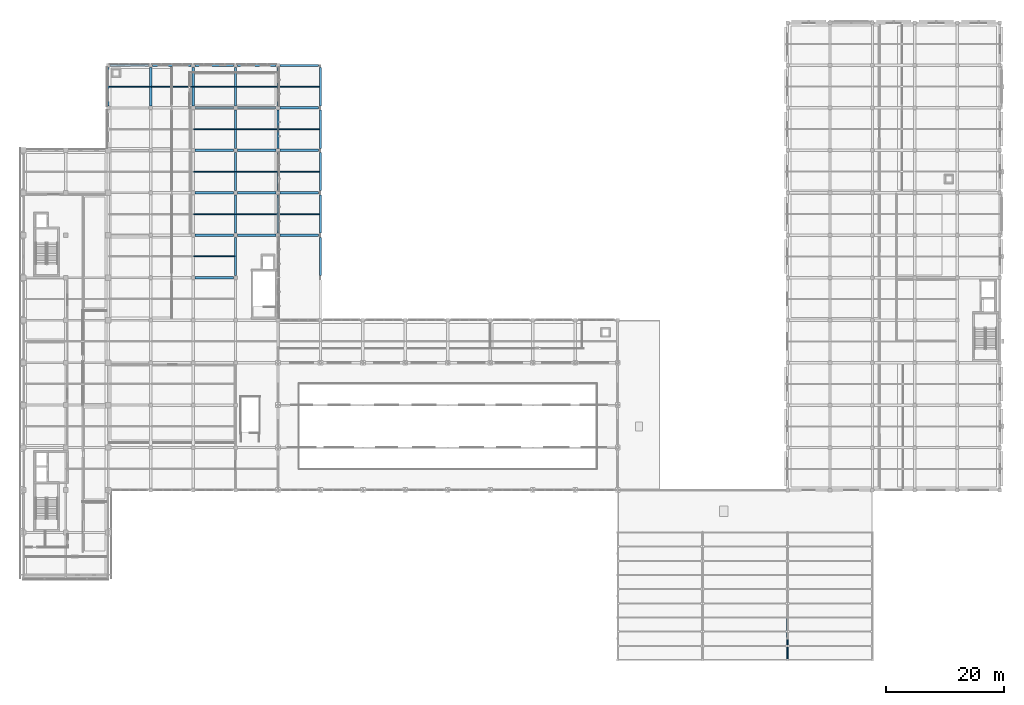
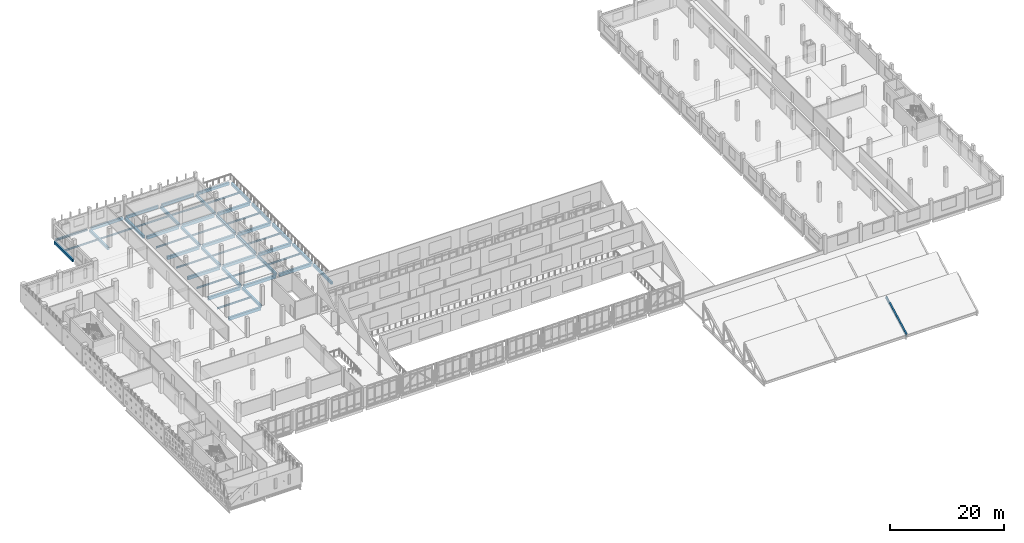
# One storey, part 25 of 62: 50 beams, 2 members.
"""IFC4 building model written with IfcOpenShell, lengths in metres."""

import ifcopenshell
import ifcopenshell.guid

model = None  # the IFC model being written
_history = None  # IfcOwnerHistory: only IFC2X3 demands one
_inside = {}  # id of a spatial element -> (the spatial element, [elements in it])
_under = {}  # id of a project, library or spatial element -> (it, [spatial elements below it])
_declared = {}  # id of a project -> (the project, [libraries it declares])
_typed = {}  # id of a type object -> (the type object, [elements of that type])
_made_of = {}  # id of a material, layer set ... -> (it, [elements and type objects made of it])


def new_model(schema):
    """Start an empty IFC model of exactly this schema.

    Asked for "IFC4X3", IfcOpenShell would pick the latest addendum, in which some entities
    have other attributes; the version numbers below select the first issue.
    IFC2X3 requires an IfcOwnerHistory on every rooted entity: one is made here for all.
    """
    global model, _history
    if schema == "IFC4X3":
        model = ifcopenshell.file(schema_version=(4, 3, 0, 0))
    else:
        model = ifcopenshell.file(schema=schema)
    _inside.clear()
    _under.clear()
    _declared.clear()
    _typed.clear()
    _made_of.clear()
    _history = None
    if model.schema == "IFC2X3":
        org = make("IfcOrganization", Name="unknown")
        user = make(
            "IfcPersonAndOrganization",
            ThePerson=make("IfcPerson", FamilyName="unknown"),
            TheOrganization=org,
        )
        app = make(
            "IfcApplication",
            ApplicationDeveloper=org,
            Version="unknown",
            ApplicationFullName="unknown",
            ApplicationIdentifier="unknown",
        )
        _history = make(
            "IfcOwnerHistory",
            OwningUser=user,
            OwningApplication=app,
            ChangeAction="ADDED",
            CreationDate=0,
        )
    return model


def make(cls, **values):
    """One entity of the class cls with the attributes given. An attribute that is None is left unset."""
    return model.create_entity(
        cls, **{name: value for name, value in values.items() if value is not None}
    )


def rooted(cls, **values):
    """An entity with a GlobalId (a new one), such as an element, a storey or a relation."""
    return make(cls, GlobalId=ifcopenshell.guid.new(), OwnerHistory=_history, **values)


def si_unit(unit_type, name, prefix=None):
    """IfcSIUnit, for example si_unit("LENGTHUNIT", "METRE", prefix="MILLI")."""
    return make("IfcSIUnit", UnitType=unit_type, Prefix=prefix, Name=name)


def assignment(units):
    """IfcUnitAssignment: the units of a project."""
    return None if units is None else make("IfcUnitAssignment", Units=units)


def point(xyz):
    """IfcCartesianPoint."""
    return None if xyz is None else make("IfcCartesianPoint", Coordinates=xyz)


def direction(xyz):
    """IfcDirection."""
    return None if xyz is None else make("IfcDirection", DirectionRatios=xyz)


def frame(location, z_axis=None, x_axis=None):
    """IfcAxis2Placement3D, a coordinate frame: its origin and axes. An axis left out is left unset."""
    return make(
        "IfcAxis2Placement3D",
        Location=point(location),
        Axis=direction(z_axis),
        RefDirection=direction(x_axis),
    )


def frame_2d(location, x_axis=None):
    """IfcAxis2Placement2D, a coordinate frame in the plane: its origin and x axis."""
    return make(
        "IfcAxis2Placement2D", Location=point(location), RefDirection=direction(x_axis)
    )


def origin():
    """The frame at (0, 0, 0) with its axes left unset."""
    return frame((0.0, 0.0, 0.0))


def origin_2d():
    """The frame at (0, 0) in the plane with its x axis left unset."""
    return frame_2d((0.0, 0.0))


def place(relative_to, where):
    """IfcLocalPlacement: puts the frame where relative to a parent placement (None: the world)."""
    return make(
        "IfcLocalPlacement", PlacementRelTo=relative_to, RelativePlacement=where
    )


def context(
    kind, dimensions, precision=None, world=None, true_north=None, identifier=None
):
    """IfcGeometricRepresentationContext, for example the 3D "Model" context."""
    return make(
        "IfcGeometricRepresentationContext",
        ContextIdentifier=identifier,
        ContextType=kind,
        CoordinateSpaceDimension=dimensions,
        Precision=precision,
        WorldCoordinateSystem=world,
        TrueNorth=true_north,
    )


def subcontext(parent, identifier, kind, view, scale=None):
    """IfcGeometricRepresentationSubContext, for example "Body" below "Model"."""
    return make(
        "IfcGeometricRepresentationSubContext",
        ContextIdentifier=identifier,
        ContextType=kind,
        ParentContext=parent,
        TargetScale=scale,
        TargetView=view,
    )


def project(units=None, contexts=None):
    """IfcProject with its units and contexts."""
    return rooted(
        "IfcProject",
        Name="project",
        RepresentationContexts=contexts,
        UnitsInContext=assignment(units),
    )


def spatial(cls, under=None, at=None, **own):
    """A site, building, storey or space (cls), placed at a placement, below another one or the project."""
    s = rooted(cls, ObjectPlacement=at, **own)
    if under is not None:
        _under.setdefault(under.id(), (under, []))[1].append(s)
    return s


def profile(cls, at=None, kind="AREA", **sizes):
    """A parametric profile (cls). Its sizes go by their IFC names, for example OverallWidth=200.0."""
    return make(cls, ProfileType=kind, Position=at, **sizes)


def rectangle(**sizes):
    """IfcRectangleProfileDef."""
    return profile("IfcRectangleProfileDef", **sizes)


def hollow_circle(**sizes):
    """IfcCircleHollowProfileDef."""
    return profile("IfcCircleHollowProfileDef", **sizes)


def i_section(**sizes):
    """IfcIShapeProfileDef."""
    return profile("IfcIShapeProfileDef", **sizes)


def extrude(swept, where, along, depth):
    """IfcExtrudedAreaSolid: the profile swept, set in the frame where, extruded along a direction by depth."""
    return make(
        "IfcExtrudedAreaSolid",
        SweptArea=swept,
        Position=where,
        ExtrudedDirection=direction(along),
        Depth=depth,
    )


def shape(context_of_items, identifier, shape_type, items):
    """IfcShapeRepresentation: the items that make up one representation, for example the "Body"."""
    return make(
        "IfcShapeRepresentation",
        ContextOfItems=context_of_items,
        RepresentationIdentifier=identifier,
        RepresentationType=shape_type,
        Items=items,
    )


def material(Name=None, Category=None):
    """IfcMaterial."""
    return make("IfcMaterial", Name=Name, Category=Category)


def material_profile(
    of_material, cross_section, Name=None, Category=None, Priority=None
):
    """IfcMaterialProfile: a cross section and its material."""
    return make(
        "IfcMaterialProfile",
        Name=Name,
        Material=of_material,
        Profile=cross_section,
        Priority=Priority,
        Category=Category,
    )


def profile_set(profiles, Name=None, composite=None):
    """IfcMaterialProfileSet."""
    return make(
        "IfcMaterialProfileSet",
        Name=Name,
        MaterialProfiles=profiles,
        CompositeProfile=composite,
    )


def made_of(thing, what):
    """Note that an element or type object is made of a material, layer set ...; save() writes the relation."""
    if what is not None:
        _made_of.setdefault(what.id(), (what, []))[1].append(thing)
    return thing


def type_object(cls, material=None, **own):
    """A type object (cls), such as IfcWallType, which elements share."""
    return made_of(rooted(cls, **own), material)


def element(
    cls,
    number,
    at=None,
    inside=None,
    cuts=None,
    type_object=None,
    material=None,
    context=None,
    identifier="Body",
    shape_type=None,
    held_by="IfcProductDefinitionShape",
    body=None,
    shapes=None,
    **own,
):
    """One element of the class cls, such as IfcWall. Its Tag is "e" and its number.

    at: its placement. inside: the storey or other place that contains it. cuts: it is an
    opening in that element (IfcRelVoidsElement). A single representation is given by context,
    identifier, shape_type and body (its items); several are given by shapes. held_by: the class
    of the entity that holds the representations. save() writes the other relations.
    """
    e = rooted(cls, Tag="e%d" % number, ObjectPlacement=at, **own)
    if body is not None:
        shapes = [shape(context, identifier, shape_type, body)]
    if shapes is not None:
        e.Representation = make(held_by, Representations=shapes)
    if inside is not None:
        _inside.setdefault(inside.id(), (inside, []))[1].append(e)
    if cuts is not None:
        rooted(
            "IfcRelVoidsElement", RelatingBuildingElement=cuts, RelatedOpeningElement=e
        )
    if type_object is not None:
        _typed.setdefault(type_object.id(), (type_object, []))[1].append(e)
    return made_of(e, material)


def aggregate(whole, parts):
    """IfcRelAggregates: a whole, such as a stair, and the parts it consists of."""
    return rooted("IfcRelAggregates", RelatingObject=whole, RelatedObjects=parts)


def save(model, path):
    """Write the relations noted so far, then the file.

    IfcRelAggregates (storeys below a building ...), IfcRelContainedInSpatialStructure (elements
    in a storey), IfcRelDefinesByType, IfcRelAssociatesMaterial and IfcRelDeclares: one each for
    every whole, place, type object, material and project.
    """
    for whole, parts in _under.values():
        aggregate(whole, parts)
    for where, things in _inside.values():
        rooted(
            "IfcRelContainedInSpatialStructure",
            RelatedElements=things,
            RelatingStructure=where,
        )
    for kind, things in _typed.values():
        rooted("IfcRelDefinesByType", RelatedObjects=things, RelatingType=kind)
    for what, things in _made_of.values():
        rooted("IfcRelAssociatesMaterial", RelatedObjects=things, RelatingMaterial=what)
    for by, libraries in _declared.values():
        rooted("IfcRelDeclares", RelatingContext=by, RelatedDefinitions=libraries)
    model.write(path)


model = new_model("IFC4")

# Units and contexts
model_context = context("Model", 3, precision=1e-05, world=origin(), true_north=direction((0.0, 1.0)))
body_context = subcontext(model_context, "Body", "Model", "MODEL_VIEW")
ifc_project = project(units=[si_unit("LENGTHUNIT", "METRE"), si_unit("AREAUNIT", "SQUARE_METRE"), si_unit("VOLUMEUNIT", "CUBIC_METRE"), si_unit("PLANEANGLEUNIT", "RADIAN"), si_unit("MASSUNIT", "GRAM", prefix="KILO")], contexts=[model_context])

# Site, building, storey
site_placement = place(None, origin())
site = spatial("IfcSite", under=ifc_project, at=site_placement, CompositionType="ELEMENT")
building_placement = place(site_placement, origin())
building = spatial("IfcBuilding", under=site, at=building_placement, Name="Valkovuoma Quantum and Materials Research Institute", CompositionType="ELEMENT")
storey_placement = place(building_placement, frame((0.0, 0.0, 13.1201171875)))
storey = spatial("IfcBuildingStorey", under=building, at=storey_placement, Name="L03", CompositionType="ELEMENT", Elevation=13.1201171875)

# Beams
ifc_material_1 = material(Name="Steel S355J2", Category="steel")
ifc_material_profile_1 = material_profile(ifc_material_1, i_section(OverallWidth=0.300048828125, OverallDepth=0.389892578125, WebThickness=0.010986328125, FlangeThickness=0.01904296875, FilletRadius=0.027099609375, at=origin_2d()), Name="Steel S355J2")
ifc_profile_set_1 = profile_set([ifc_material_profile_1], Name="Steel S355J2")
beam_type_1 = type_object("IfcBeamType", Name="Beam-B-HEA400", PredefinedType="SPANDREL", material=ifc_profile_set_1)
beam_placement = place(storey_placement, frame((14.75, 108.0, -0.545166015625), z_axis=(1.0, 0.0, 0.0), x_axis=(0.0, 1.0, 0.0)))
element("IfcBeam", 1, at=beam_placement, inside=storey, type_object=beam_type_1, Name="L03 beam X-1555", PredefinedType="SPANDREL", context=body_context, shape_type="SweptSolid", body=[
    extrude(i_section(OverallWidth=0.300048828125, OverallDepth=0.389892578125, WebThickness=0.010986328125, FlangeThickness=0.01904296875, FilletRadius=0.027099609375, at=origin_2d()), origin(), (0.0, 0.0, 1.0), 6.5),
])
ifc_material_2 = material(Name="Steel S355J2", Category="steel")
ifc_material_profile_2 = material_profile(ifc_material_2, i_section(OverallWidth=0.169921875, OverallDepth=0.360107421875, WebThickness=0.008056640625, FlangeThickness=0.0126953125, FilletRadius=0.01806640625, at=origin_2d()), Name="Steel S355J2")
ifc_profile_set_2 = profile_set([ifc_material_profile_2], Name="Steel S355J2")
beam_type_2 = type_object("IfcBeamType", Name="Beam-B-JST360", PredefinedType="JOIST", material=ifc_profile_set_2)
for number, where, z_axis, x_axis, name in (
    (2, (28.919921875, 75.60009765625, -0.530029296875), (1.0, 0.0, 0.0), (0.0, 1.0, 0.0), "L03 floor joist 1761"),
    (3, (28.919921875, 82.800048828125, -0.530029296875), (1.0, 0.0, 0.0), (0.0, 1.0, 0.0), "L03 floor joist 1769"),
    (4, (36.1201171875, 82.800048828125, -0.530029296875), (1.0, 0.0, 0.0), (0.0, 1.0, 0.0), "L03 floor joist 1770"),
    (5, (43.320068359375, 82.800048828125, -0.530029296875), (1.0, 0.0, 0.0), (0.0, 1.0, 0.0), "L03 floor joist 1771"),
    (6, (28.919921875, 90.0, -0.530029296875), (1.0, 0.0, 0.0), (0.0, 1.0, 0.0), "L03 floor joist 1781"),
    (7, (36.1201171875, 90.0, -0.530029296875), (1.0, 0.0, 0.0), (0.0, 1.0, 0.0), "L03 floor joist 1782"),
    (8, (43.320068359375, 90.0, -0.530029296875), (1.0, 0.0, 0.0), (0.0, 1.0, 0.0), "L03 floor joist 1783"),
    (9, (28.919921875, 97.199951171875, -0.530029296875), (1.0, 0.0, 0.0), (0.0, 1.0, 0.0), "L03 floor joist 1791"),
    (10, (36.1201171875, 97.199951171875, -0.530029296875), (1.0, 0.0, 0.0), (0.0, 1.0, 0.0), "L03 floor joist 1792"),
    (11, (43.320068359375, 97.199951171875, -0.530029296875), (1.0, 0.0, 0.0), (0.0, 1.0, 0.0), "L03 floor joist 1793"),
    (12, (14.52001953125, 104.39990234375, -0.530029296875), (1.0, 0.0, 0.0), (0.0, 1.0, 0.0), "L03 floor joist 1799"),
    (13, (21.719970703125, 104.39990234375, -0.530029296875), (1.0, 0.0, 0.0), (0.0, 1.0, 0.0), "L03 floor joist 1800"),
    (14, (28.919921875, 104.39990234375, -0.530029296875), (1.0, 0.0, 0.0), (0.0, 1.0, 0.0), "L03 floor joist 1801"),
    (15, (36.1201171875, 104.39990234375, -0.530029296875), (1.0, 0.0, 0.0), (0.0, 1.0, 0.0), "L03 floor joist 1802"),
    (16, (43.320068359375, 104.39990234375, -0.530029296875), (1.0, 0.0, 0.0), (0.0, 1.0, 0.0), "L03 floor joist 1803"),
):
    element("IfcBeam", number, at=place(storey_placement, frame(where, z_axis=z_axis, x_axis=x_axis)), inside=storey, type_object=beam_type_2, Name=name, PredefinedType="JOIST", context=body_context, shape_type="SweptSolid", body=[
        extrude(i_section(OverallWidth=0.169921875, OverallDepth=0.360107421875, WebThickness=0.008056640625, FlangeThickness=0.0126953125, FilletRadius=0.01806640625, at=origin_2d()), origin(), (0.0, 0.0, 1.0), 6.9599609375),
    ])
ifc_material_3 = material(Name="Concrete C40/50", Category="concrete")
ifc_material_profile_3 = material_profile(ifc_material_3, rectangle(XDim=0.39990234375, YDim=0.550048828125, at=origin_2d()), Name="Concrete C40/50")
ifc_profile_set_3 = profile_set([ifc_material_profile_3], Name="Concrete C40/50")
beam_type_3 = type_object("IfcBeamType", Name="Beam-B-RC550", PredefinedType="BEAM", material=ifc_profile_set_3)
for number, where, z_axis, x_axis, name in (
    (17, (21.60009765625, 101.14990234375, -0.625), (0.0, 1.0, 0.0), (-1.0, 0.0, 0.0), "L03 beam Y-1594"),
    (18, (28.800048828125, 101.14990234375, -0.625), (0.0, 1.0, 0.0), (-1.0, 0.0, 0.0), "L03 beam Y-1604"),
    (19, (36.0, 72.35009765625, -0.625), (0.0, 1.0, 0.0), (-1.0, 0.0, 0.0), "L03 beam Y-1610"),
    (20, (36.0, 79.550048828125, -0.625), (0.0, 1.0, 0.0), (-1.0, 0.0, 0.0), "L03 beam Y-1611"),
    (21, (36.0, 86.75, -0.625), (0.0, 1.0, 0.0), (-1.0, 0.0, 0.0), "L03 beam Y-1612"),
    (22, (36.0, 93.949951171875, -0.625), (0.0, 1.0, 0.0), (-1.0, 0.0, 0.0), "L03 beam Y-1613"),
    (23, (36.0, 101.14990234375, -0.625), (0.0, 1.0, 0.0), (-1.0, 0.0, 0.0), "L03 beam Y-1614"),
    (24, (43.199951171875, 79.550048828125, -0.625), (0.0, 1.0, 0.0), (-1.0, 0.0, 0.0), "L03 beam Y-1617"),
    (25, (43.199951171875, 86.75, -0.625), (0.0, 1.0, 0.0), (-1.0, 0.0, 0.0), "L03 beam Y-1618"),
    (26, (43.199951171875, 93.949951171875, -0.625), (0.0, 1.0, 0.0), (-1.0, 0.0, 0.0), "L03 beam Y-1619"),
    (27, (43.199951171875, 101.14990234375, -0.625), (0.0, 1.0, 0.0), (-1.0, 0.0, 0.0), "L03 beam Y-1620"),
):
    element("IfcBeam", number, at=place(storey_placement, frame(where, z_axis=z_axis, x_axis=x_axis)), inside=storey, type_object=beam_type_3, Name=name, PredefinedType="BEAM", context=body_context, shape_type="SweptSolid", body=[
        extrude(rectangle(XDim=0.39990234375, YDim=0.550048828125, at=origin_2d()), origin(), (0.0, 0.0, 1.0), 6.5),
    ])
ifc_material_4 = material(Name="Concrete C40/50", Category="concrete")
ifc_material_profile_4 = material_profile(ifc_material_4, rectangle(XDim=0.39990234375, YDim=0.64990234375, at=origin_2d()), Name="Concrete C40/50")
ifc_profile_set_4 = profile_set([ifc_material_profile_4], Name="Concrete C40/50")
beam_type_4 = type_object("IfcBeamType", Name="Beam-B-RC650", PredefinedType="BEAM", material=ifc_profile_set_4)
for number, where, z_axis, x_axis, name in (
    (28, (29.14990234375, 72.0, -0.675048828125), (1.0, 0.0, 0.0), (0.0, 1.0, 0.0), "L03 beam X-1505"),
    (29, (29.14990234375, 79.199951171875, -0.675048828125), (1.0, 0.0, 0.0), (0.0, 1.0, 0.0), "L03 beam X-1513"),
    (30, (36.35009765625, 79.199951171875, -0.675048828125), (1.0, 0.0, 0.0), (0.0, 1.0, 0.0), "L03 beam X-1514"),
    (31, (43.550048828125, 79.199951171875, -0.675048828125), (1.0, 0.0, 0.0), (0.0, 1.0, 0.0), "L03 beam X-1515"),
    (32, (29.14990234375, 86.39990234375, -0.675048828125), (1.0, 0.0, 0.0), (0.0, 1.0, 0.0), "L03 beam X-1525"),
    (33, (36.35009765625, 86.39990234375, -0.675048828125), (1.0, 0.0, 0.0), (0.0, 1.0, 0.0), "L03 beam X-1526"),
    (34, (43.550048828125, 86.39990234375, -0.675048828125), (1.0, 0.0, 0.0), (0.0, 1.0, 0.0), "L03 beam X-1527"),
    (35, (29.14990234375, 93.60009765625, -0.675048828125), (1.0, 0.0, 0.0), (0.0, 1.0, 0.0), "L03 beam X-1537"),
    (36, (36.35009765625, 93.60009765625, -0.675048828125), (1.0, 0.0, 0.0), (0.0, 1.0, 0.0), "L03 beam X-1538"),
    (37, (43.550048828125, 93.60009765625, -0.675048828125), (1.0, 0.0, 0.0), (0.0, 1.0, 0.0), "L03 beam X-1539"),
    (38, (29.14990234375, 100.800048828125, -0.675048828125), (1.0, 0.0, 0.0), (0.0, 1.0, 0.0), "L03 beam X-1547"),
    (39, (36.35009765625, 100.800048828125, -0.675048828125), (1.0, 0.0, 0.0), (0.0, 1.0, 0.0), "L03 beam X-1548"),
    (40, (43.550048828125, 100.800048828125, -0.675048828125), (1.0, 0.0, 0.0), (0.0, 1.0, 0.0), "L03 beam X-1549"),
):
    element("IfcBeam", number, at=place(storey_placement, frame(where, z_axis=z_axis, x_axis=x_axis)), inside=storey, type_object=beam_type_4, Name=name, PredefinedType="BEAM", context=body_context, shape_type="SweptSolid", body=[
        extrude(rectangle(XDim=0.39990234375, YDim=0.64990234375, at=origin_2d()), origin(), (0.0, 0.0, 1.0), 6.5),
    ])
ifc_material_5 = material(Name="Concrete C40/50", Category="concrete")
ifc_material_profile_5 = material_profile(ifc_material_5, rectangle(XDim=0.35009765625, YDim=0.60009765625, at=origin_2d()), Name="Concrete C40/50")
ifc_profile_set_5 = profile_set([ifc_material_profile_5], Name="Concrete C40/50")
beam_type_5 = type_object("IfcBeamType", Name="Beam-B-SPN600", PredefinedType="SPANDREL", material=ifc_profile_set_5)
for number, where, z_axis, x_axis, name in (
    (41, (21.949951171875, 108.0, -0.650146484375), (1.0, 0.0, 0.0), (0.0, 1.0, 0.0), "L03 beam X-1556"),
    (42, (29.14990234375, 108.0, -0.650146484375), (1.0, 0.0, 0.0), (0.0, 1.0, 0.0), "L03 beam X-1557"),
    (43, (36.35009765625, 108.0, -0.650146484375), (1.0, 0.0, 0.0), (0.0, 1.0, 0.0), "L03 beam X-1558"),
    (44, (43.550048828125, 108.0, -0.650146484375), (1.0, 0.0, 0.0), (0.0, 1.0, 0.0), "L03 beam X-1559"),
    (45, (14.39990234375, 101.14990234375, -0.650146484375), (0.0, 1.0, 0.0), (-1.0, 0.0, 0.0), "L03 beam Y-1584"),
    (46, (50.39990234375, 72.35009765625, -0.650146484375), (0.0, 1.0, 0.0), (-1.0, 0.0, 0.0), "L03 beam Y-1623"),
    (47, (50.39990234375, 79.550048828125, -0.650146484375), (0.0, 1.0, 0.0), (-1.0, 0.0, 0.0), "L03 beam Y-1624"),
    (48, (50.39990234375, 86.75, -0.650146484375), (0.0, 1.0, 0.0), (-1.0, 0.0, 0.0), "L03 beam Y-1625"),
    (49, (50.39990234375, 93.949951171875, -0.650146484375), (0.0, 1.0, 0.0), (-1.0, 0.0, 0.0), "L03 beam Y-1626"),
    (50, (50.39990234375, 101.14990234375, -0.650146484375), (0.0, 1.0, 0.0), (-1.0, 0.0, 0.0), "L03 beam Y-1627"),
):
    element("IfcBeam", number, at=place(storey_placement, frame(where, z_axis=z_axis, x_axis=x_axis)), inside=storey, type_object=beam_type_5, Name=name, PredefinedType="SPANDREL", context=body_context, shape_type="SweptSolid", body=[
        extrude(rectangle(XDim=0.35009765625, YDim=0.60009765625, at=origin_2d()), origin(), (0.0, 0.0, 1.0), 6.5),
    ])

# Members
ifc_material_6 = material(Name="Steel S355J2H", Category="steel")
ifc_material_profile_6 = material_profile(ifc_material_6, hollow_circle(Radius=0.109619140625, WallThickness=0.010009765625, at=origin_2d()), Name="Steel S355J2H")
ifc_profile_set_6 = profile_set([ifc_material_profile_6], Name="Steel S355J2H")
member_type_1 = type_object("IfcMemberType", Name="Mem-M-BRC219", PredefinedType="BRACE", material=ifc_profile_set_6)
member_1_placement = place(storey_placement, frame((129.60009765625, 7.199951171875, -0.35009765625), z_axis=(0.0, 0.84536627719, 0.53418709961), x_axis=(-1.0, 0.0, 0.0)))
element("IfcMember", 51, at=member_1_placement, inside=storey, type_object=member_type_1, Name="L03 VOL1 sawtooth web brace 3.1A", PredefinedType="BRACE", context=body_context, shape_type="SweptSolid", body=[
    extrude(hollow_circle(Radius=0.109619140625, WallThickness=0.010009765625, at=origin_2d()), origin(), (0.0, 0.0, 1.0), 4.258544921875),
])
ifc_material_7 = material(Name="Steel S355J2", Category="steel")
ifc_material_profile_7 = material_profile(ifc_material_7, i_section(OverallWidth=0.300048828125, OverallDepth=0.5, WebThickness=0.014404296875, FlangeThickness=0.028076171875, FilletRadius=0.027099609375, at=origin_2d()), Name="Steel S355J2")
ifc_profile_set_7 = profile_set([ifc_material_profile_7], Name="Steel S355J2")
member_type_2 = type_object("IfcMemberType", Name="Mem-M-CHD500", PredefinedType="CHORD", material=ifc_profile_set_7)
member_2_placement = place(storey_placement, frame((129.60009765625, 7.199951171875, 0.0), z_axis=(0.0, 0.881849996116, 0.471530046074), x_axis=(-1.0, 0.0, 0.0)))
element("IfcMember", 52, at=member_2_placement, inside=storey, type_object=member_type_2, Name="L03 VOL1 sawtooth top chord 3.1", PredefinedType="CHORD", context=body_context, shape_type="SweptSolid", body=[
    extrude(i_section(OverallWidth=0.300048828125, OverallDepth=0.5, WebThickness=0.014404296875, FlangeThickness=0.028076171875, FilletRadius=0.027099609375, at=origin_2d()), origin(), (0.0, 0.0, 1.0), 8.16455078125),
])

save(model, "model.ifc")
